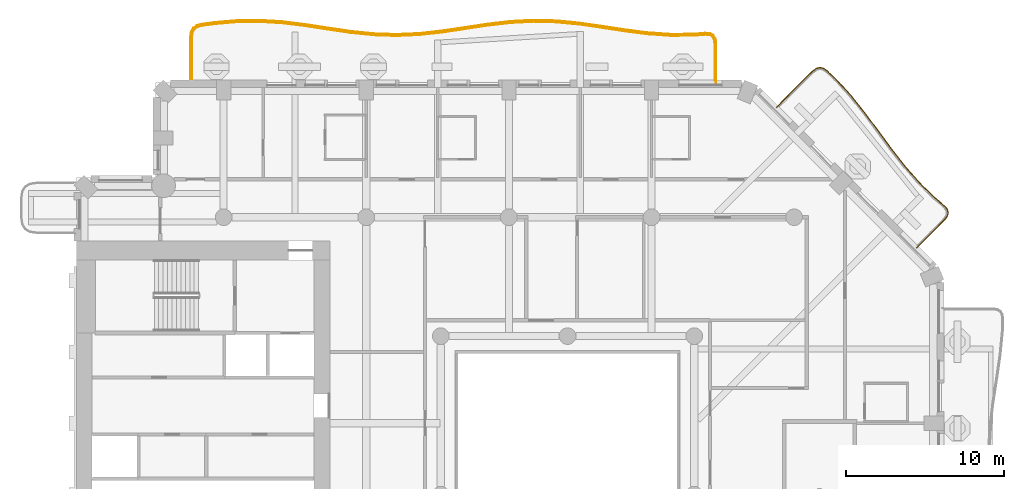
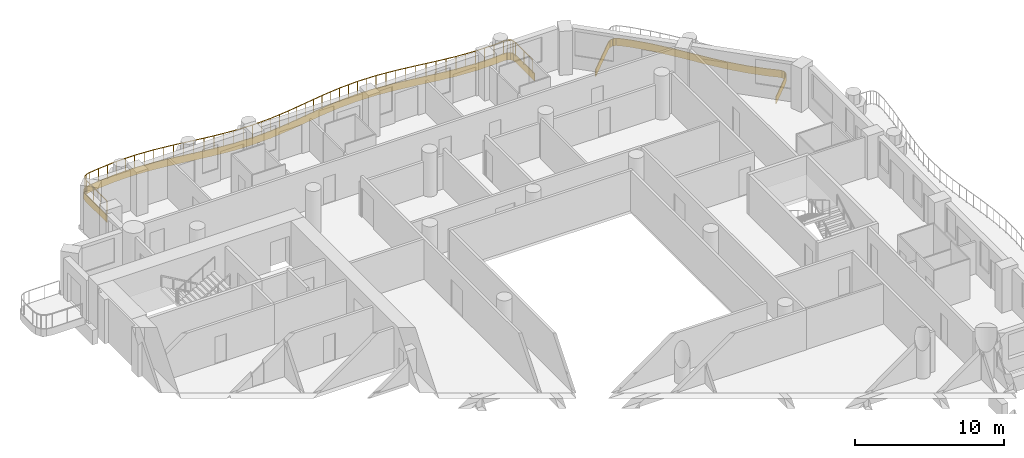
# One storey, part 17 of 19: 2 coverings, 1 railing.
"""IFC4 building model written with IfcOpenShell, lengths in metres."""

from ifc_helpers import new_model, si_unit, direction, frame, origin, origin_2d, place, context, subcontext, project, spatial, polyline, rectangle, outline, extrude, material, layer, layer_set, type_object, element, save


model = new_model("IFC4")

# Units and contexts
model_context = context("Model", 3, precision=1e-05, world=origin(), true_north=direction((0.0, 1.0)))
body_context = subcontext(model_context, "Body", "Model", "MODEL_VIEW")
ifc_project = project(units=[si_unit("LENGTHUNIT", "METRE"), si_unit("AREAUNIT", "SQUARE_METRE"), si_unit("VOLUMEUNIT", "CUBIC_METRE"), si_unit("PLANEANGLEUNIT", "RADIAN"), si_unit("MASSUNIT", "GRAM", prefix="KILO")], contexts=[model_context])

# Site, building, storey
site_placement = place(None, origin())
site = spatial("IfcSite", under=ifc_project, at=site_placement, CompositionType="ELEMENT")
building_placement = place(site_placement, origin())
building = spatial("IfcBuilding", under=site, at=building_placement, Name="Cypress Arch Tower", CompositionType="ELEMENT")
storey_placement = place(building_placement, frame((0.0, 0.0, 105.89990234375)))
storey = spatial("IfcBuildingStorey", under=building, at=storey_placement, Name="L21", CompositionType="ELEMENT", Elevation=105.89990234375)

# Coverings
ifc_material_1 = material(Name="White powder-coated aluminium fascia", Category="aluminium")
ifc_layer = layer(ifc_material_1, 0.050048828125)
ifc_layer_set = layer_set([ifc_layer], Name="Balcony fascia BF50")
covering_type = type_object("IfcCoveringType", Name="Balcony fascia BF50", PredefinedType="CLADDING", material=ifc_layer_set)
covering_1_placement = place(storey_placement, frame((0.0, 0.0, -0.599853515625)))
element("IfcCovering", 1, at=covering_1_placement, inside=storey, type_object=covering_type, Name="Balcony fascia L21-A07", PredefinedType="CLADDING", context=body_context, shape_type="SweptSolid", body=[
    extrude(outline(polyline([(16.4462890625, 26.735107421875), (16.678466796875, 26.909423828125), (16.922607421875, 26.972412109375), (17.16845703125, 26.916259765625), (17.405517578125, 26.748779296875), (17.963623046875, 26.221435546875), (18.90087890625, 25.194091796875), (19.774658203125, 24.10498046875), (20.609619140625, 22.978759765625), (21.43896484375, 21.849609375), (22.29736328125, 20.75146484375), (23.21240234375, 19.71142578125), (24.19873046875, 18.743408203125), (24.7822265625, 18.24658203125), (24.972412109375, 18.031005859375), (25.045654296875, 17.79833984375), (24.9912109375, 17.560546875), (24.819091796875, 17.330322265625), (23.045166015625, 15.556396484375), (23.009765625, 15.591796875), (24.78125, 17.36328125), (24.945068359375, 17.58203125), (24.993896484375, 17.79638671875), (24.927978515625, 18.005859375), (24.7470703125, 18.2109375), (24.1650390625, 18.70654296875), (23.176025390625, 19.677001953125), (22.259033203125, 20.719482421875), (21.399169921875, 21.8193359375), (20.5693359375, 22.94921875), (19.735107421875, 24.074462890625), (18.86279296875, 25.16162109375), (17.927978515625, 26.1865234375), (17.373779296875, 26.7099609375), (17.147705078125, 26.869873046875), (16.92333984375, 26.9208984375), (16.700439453125, 26.863525390625), (16.479248046875, 26.697265625), (14.191650390625, 24.40966796875), (14.15625, 24.445068359375), (16.4462890625, 26.735107421875)])), origin(), (0.0, 0.0, 1.0), 0.599853515625),
])
covering_2_placement = place(storey_placement, frame((0.0, 0.0, -0.599853515625)))
element("IfcCovering", 2, at=covering_2_placement, inside=storey, type_object=covering_type, Name="Balcony fascia L21-A08", PredefinedType="CLADDING", context=body_context, shape_type="SweptSolid", body=[
    extrude(outline(polyline([(-22.800048828125, 28.90087890625), (-22.7578125, 29.205078125), (-22.626708984375, 29.44384765625), (-22.408203125, 29.606201171875), (-22.112548828125, 29.689697265625), (-21.31640625, 29.799560546875), (-19.874267578125, 29.92431640625), (-18.431396484375, 29.944091796875), (-16.98876953125, 29.853759765625), (-15.547607421875, 29.676025390625), (-14.10791015625, 29.454833984375), (-12.669921875, 29.244873046875), (-11.233642578125, 29.09814453125), (-9.798095703125, 29.05029296875), (-8.362548828125, 29.113525390625), (-6.926025390625, 29.27197265625), (-5.48779296875, 29.48681640625), (-4.0478515625, 29.705078125), (-2.6064453125, 29.872802734375), (-1.163818359375, 29.9482421875), (0.279052734375, 29.91259765625), (1.72119140625, 29.77490234375), (3.16162109375, 29.569091796875), (4.6005859375, 29.3466796875), (6.03759765625, 29.161865234375), (7.473388671875, 29.060791015625), (8.90869140625, 29.06787109375), (9.701904296875, 29.130615234375), (9.99951171875, 29.111572265625), (10.22314453125, 28.99462890625), (10.357421875, 28.78076171875), (10.39990234375, 28.48583984375), (10.39990234375, 26.0009765625), (10.35009765625, 26.0009765625), (10.35009765625, 28.482177734375), (10.3095703125, 28.76318359375), (10.18798828125, 28.95654296875), (9.98583984375, 29.062255859375), (9.702392578125, 29.08056640625), (8.910888671875, 29.017822265625), (7.4716796875, 29.0107421875), (6.03271484375, 29.112060546875), (4.593505859375, 29.297119140625), (3.154296875, 29.519775390625), (1.71533203125, 29.72509765625), (0.276123046875, 29.862548828125), (-1.1630859375, 29.898193359375), (-2.602294921875, 29.822998046875), (-4.041259765625, 29.655517578125), (-5.48046875, 29.437255859375), (-6.919677734375, 29.222412109375), (-8.358642578125, 29.0634765625), (-9.7978515625, 29.000244140625), (-11.237060546875, 29.048095703125), (-12.676025390625, 29.1953125), (-14.115234375, 29.4052734375), (-15.554443359375, 29.62646484375), (-16.993408203125, 29.803955078125), (-18.4326171875, 29.89404296875), (-19.871826171875, 29.874267578125), (-21.310791015625, 29.749755859375), (-22.102294921875, 29.640625), (-22.3857421875, 29.560546875), (-22.588134765625, 29.41015625), (-22.70947265625, 29.18896484375), (-22.75, 28.8974609375), (-22.75, 26.0009765625), (-22.800048828125, 26.0009765625), (-22.800048828125, 28.90087890625)])), origin(), (0.0, 0.0, 1.0), 0.599853515625),
])

# Railing
ifc_material_2 = material(Name="Powder-coated steel posts and rods, 100 mm clear between rods", Category="steel")
railing_type = type_object("IfcRailingType", Name="Balcony guard GR1100", PredefinedType="GUARDRAIL", material=ifc_material_2)
railing_placement = place(storey_placement, frame((-22.699951171875, 26.14990234375, 0.0)))
element("IfcRailing", 3, at=railing_placement, inside=storey, type_object=railing_type, Name="Balcony guard L21-A08", PredefinedType="GUARDRAIL", context=body_context, shape_type="SweptSolid", body=[
    extrude(rectangle(XDim=0.050048828125, YDim=0.050048828125, at=origin_2d()), frame((0.0, 0.0, 1.0751953125), z_axis=(0.0, 1.0, 0.0), x_axis=(-1.0, 0.0, 0.0)), (0.0, 0.0, 1.0), 2.744140625),
    extrude(rectangle(XDim=0.050048828125, YDim=0.050048828125, at=origin_2d()), frame((0.0, 2.744140625, 1.0751953125), z_axis=(0.136930656517, 0.990580635438, 0.0), x_axis=(-0.990580635438, 0.136930656517, 0.0)), (0.0, 0.0, 1.0), 0.28173828125),
    extrude(rectangle(XDim=0.050048828125, YDim=0.050048828125, at=origin_2d()), frame((0.03857421875, 3.023193359375, 1.0751953125), z_axis=(0.481797598162, 0.876282531154, 0.0), x_axis=(-0.876282531154, 0.481797598162, 0.0)), (0.0, 0.0, 1.0), 0.232177734375),
    extrude(rectangle(XDim=0.050048828125, YDim=0.050048828125, at=origin_2d()), frame((0.150390625, 3.2265625, 1.0751953125), z_axis=(0.8021395351, 0.597136639497, 0.0), x_axis=(-0.597136639497, 0.8021395351, 0.0)), (0.0, 0.0, 1.0), 0.232177734375),
    extrude(rectangle(XDim=0.050048828125, YDim=0.050048828125, at=origin_2d()), frame((0.336669921875, 3.365234375, 1.0751953125), z_axis=(0.962530887514, 0.271172068219, 0.0), x_axis=(-0.271172068219, 0.962530887514, 0.0)), (0.0, 0.0, 1.0), 0.28173828125),
    extrude(rectangle(XDim=0.050048828125, YDim=0.050048828125, at=origin_2d()), frame((0.60791015625, 3.441650390625, 1.0751953125), z_axis=(0.990602470756, 0.136772603005, 0.0), x_axis=(-0.136772603005, 0.990602470756, 0.0)), (0.0, 0.0, 1.0), 0.79443359375),
    extrude(rectangle(XDim=0.050048828125, YDim=0.050048828125, at=origin_2d()), frame((1.394775390625, 3.55029296875, 1.0751953125), z_axis=(0.996276728106, 0.086212998063, 0.0), x_axis=(-0.086212998063, 0.996276728106, 0.0)), (0.0, 0.0, 1.0), 1.44140625),
    extrude(rectangle(XDim=0.050048828125, YDim=0.050048828125, at=origin_2d()), frame((2.830810546875, 3.674560546875, 1.0751953125), z_axis=(0.999907427339, 0.013606496715, 0.0), x_axis=(-0.013606496715, 0.999907427339, 0.0)), (0.0, 0.0, 1.0), 1.435546875),
    extrude(rectangle(XDim=0.050048828125, YDim=0.050048828125, at=origin_2d()), frame((4.26611328125, 3.694091796875, 1.0751953125), z_axis=(0.998047953368, -0.062452243979, 0.0), x_axis=(0.062452243979, 0.998047953368, 0.0)), (0.0, 0.0, 1.0), 1.438720703125),
    extrude(rectangle(XDim=0.050048828125, YDim=0.050048828125, at=origin_2d()), frame((5.701904296875, 3.604248046875, 1.0751953125), z_axis=(0.992476369165, -0.122436337131, 0.0), x_axis=(0.122436337131, 0.992476369165, 0.0)), (0.0, 0.0, 1.0), 1.44775390625),
    extrude(rectangle(XDim=0.050048828125, YDim=0.050048828125, at=origin_2d()), frame((7.138671875, 3.427001953125, 1.0751953125), z_axis=(0.988412381944, -0.151792500536, 0.0), x_axis=(0.151792500536, 0.988412381944, 0.0)), (0.0, 0.0, 1.0), 1.45556640625),
    extrude(rectangle(XDim=0.050048828125, YDim=0.050048828125, at=origin_2d()), frame((8.577392578125, 3.2060546875, 1.0751953125), z_axis=(0.989495028388, -0.144566900758, 0.0), x_axis=(0.144566900758, 0.989495028388, 0.0)), (0.0, 0.0, 1.0), 1.455810546875),
    extrude(rectangle(XDim=0.050048828125, YDim=0.050048828125, at=origin_2d()), frame((10.017822265625, 2.99560546875, 1.0751953125), z_axis=(0.994828239073, -0.101571525256, 0.0), x_axis=(0.101571525256, 0.994828239073, 0.0)), (0.0, 0.0, 1.0), 1.449462890625),
    extrude(rectangle(XDim=0.050048828125, YDim=0.050048828125, at=origin_2d()), frame((11.459716796875, 2.848388671875, 1.0751953125), z_axis=(0.999444719239, -0.033320461955, 0.0), x_axis=(0.033320461955, 0.999444719239, 0.0)), (0.0, 0.0, 1.0), 1.443359375),
    extrude(rectangle(XDim=0.050048828125, YDim=0.050048828125, at=origin_2d()), frame((12.90234375, 2.80029296875, 1.0751953125), z_axis=(0.999033700187, 0.043950721159, 0.0), x_axis=(-0.043950721159, 0.999033700187, 0.0)), (0.0, 0.0, 1.0), 1.4443359375),
    extrude(rectangle(XDim=0.050048828125, YDim=0.050048828125, at=origin_2d()), frame((14.34521484375, 2.86376953125, 1.0751953125), z_axis=(0.993959451155, 0.109747936012, 0.0), x_axis=(-0.109747936012, 0.993959451155, 0.0)), (0.0, 0.0, 1.0), 1.450439453125),
    extrude(rectangle(XDim=0.050048828125, YDim=0.050048828125, at=origin_2d()), frame((15.786865234375, 3.02294921875, 1.0751953125), z_axis=(0.989030844863, 0.147709132789, 0.0), x_axis=(-0.147709132789, 0.989030844863, 0.0)), (0.0, 0.0, 1.0), 1.4560546875),
    extrude(rectangle(XDim=0.050048828125, YDim=0.050048828125, at=origin_2d()), frame((17.22705078125, 3.238037109375, 1.0751953125), z_axis=(0.988704955707, 0.149874983101, 0.0), x_axis=(-0.149874983101, 0.988704955707, 0.0)), (0.0, 0.0, 1.0), 1.45458984375),
    extrude(rectangle(XDim=0.050048828125, YDim=0.050048828125, at=origin_2d()), frame((18.665283203125, 3.4560546875, 1.0751953125), z_axis=(0.993313233441, 0.115450510055, 0.0), x_axis=(-0.115450510055, 0.993313233441, 0.0)), (0.0, 0.0, 1.0), 1.446533203125),
    extrude(rectangle(XDim=0.050048828125, YDim=0.050048828125, at=origin_2d()), frame((20.10205078125, 3.623046875, 1.0751953125), z_axis=(0.998630934565, 0.05230923943, 0.0), x_axis=(-0.05230923943, 0.998630934565, 0.0)), (0.0, 0.0, 1.0), 1.4375),
    extrude(rectangle(XDim=0.050048828125, YDim=0.050048828125, at=origin_2d()), frame((21.53759765625, 3.6982421875, 1.0751953125), z_axis=(0.999696084159, -0.024652369422, 0.0), x_axis=(0.024652369422, 0.999696084159, 0.0)), (0.0, 0.0, 1.0), 1.43603515625),
    extrude(rectangle(XDim=0.050048828125, YDim=0.050048828125, at=origin_2d()), frame((22.97314453125, 3.662841796875, 1.0751953125), z_axis=(0.995466522514, -0.095112578316, 0.0), x_axis=(0.095112578316, 0.995466522514, 0.0)), (0.0, 0.0, 1.0), 1.442626953125),
    extrude(rectangle(XDim=0.050048828125, YDim=0.050048828125, at=origin_2d()), frame((24.4091796875, 3.525634765625, 1.0751953125), z_axis=(0.989956216646, -0.141374287349, 0.0), x_axis=(0.141374287349, 0.989956216646, 0.0)), (0.0, 0.0, 1.0), 1.452392578125),
    extrude(rectangle(XDim=0.050048828125, YDim=0.050048828125, at=origin_2d()), frame((25.846923828125, 3.3203125, 1.0751953125), z_axis=(0.988247354553, -0.152863227163, 0.0), x_axis=(0.152863227163, 0.988247354553, 0.0)), (0.0, 0.0, 1.0), 1.45654296875),
    extrude(rectangle(XDim=0.050048828125, YDim=0.050048828125, at=origin_2d()), frame((27.286376953125, 3.09765625, 1.0751953125), z_axis=(0.991856103893, -0.127363531552, 0.0), x_axis=(0.127363531552, 0.991856103893, 0.0)), (0.0, 0.0, 1.0), 1.452880859375),
    extrude(rectangle(XDim=0.050048828125, YDim=0.050048828125, at=origin_2d()), frame((28.7275390625, 2.91259765625, 1.0751953125), z_axis=(0.997519177568, -0.070395244042, 0.0), x_axis=(0.070395244042, 0.997519177568, 0.0)), (0.0, 0.0, 1.0), 1.4462890625),
    extrude(rectangle(XDim=0.050048828125, YDim=0.050048828125, at=origin_2d()), frame((30.170166015625, 2.810791015625, 1.0751953125), z_axis=(0.99998711664, 0.005076076734, 0.0), x_axis=(-0.005076076734, 0.99998711664, 0.0)), (0.0, 0.0, 1.0), 1.44287109375),
    extrude(rectangle(XDim=0.050048828125, YDim=0.050048828125, at=origin_2d()), frame((31.613037109375, 2.818115234375, 1.0751953125), z_axis=(0.996883497739, 0.078887844025, 0.0), x_axis=(-0.078887844025, 0.996883497739, 0.0)), (0.0, 0.0, 1.0), 0.792236328125),
    extrude(rectangle(XDim=0.050048828125, YDim=0.050048828125, at=origin_2d()), frame((32.40283203125, 2.880615234375, 1.0751953125), z_axis=(0.997930935599, -0.064295005833, 0.0), x_axis=(0.064295005833, 0.997930935599, 0.0)), (0.0, 0.0, 1.0), 0.26953125),
    extrude(rectangle(XDim=0.050048828125, YDim=0.050048828125, at=origin_2d()), frame((32.671875, 2.86328125, 1.0751953125), z_axis=(0.885901726411, -0.463872968755, 0.0), x_axis=(0.463872968755, 0.885901726411, 0.0)), (0.0, 0.0, 1.0), 0.2041015625),
    extrude(rectangle(XDim=0.050048828125, YDim=0.050048828125, at=origin_2d()), frame((32.852783203125, 2.7685546875, 1.0751953125), z_axis=(0.532147054497, -0.846651942885, 0.0), x_axis=(0.846651942885, 0.532147054497, 0.0)), (0.0, 0.0, 1.0), 0.2041015625),
    extrude(rectangle(XDim=0.050048828125, YDim=0.050048828125, at=origin_2d()), frame((32.96142578125, 2.595703125, 1.0751953125), z_axis=(0.142941069284, -0.989731201242, 0.0), x_axis=(0.989731201242, 0.142941069284, 0.0)), (0.0, 0.0, 1.0), 0.269775390625),
    extrude(rectangle(XDim=0.050048828125, YDim=0.050048828125, at=origin_2d()), frame((33.0, 2.32861328125, 1.0751953125), z_axis=(0.0, -1.0, 0.0), x_axis=(1.0, 0.0, 0.0)), (0.0, 0.0, 1.0), 2.32861328125),
    extrude(rectangle(XDim=0.0400390625, YDim=0.0400390625, at=origin_2d()), origin(), (0.0, 0.0, 1.0), 1.050048828125),
    extrude(rectangle(XDim=0.0400390625, YDim=0.0400390625, at=origin_2d()), frame((0.0, 0.914794921875, 0.0)), (0.0, 0.0, 1.0), 1.050048828125),
    extrude(rectangle(XDim=0.0400390625, YDim=0.0400390625, at=origin_2d()), frame((0.0, 1.829345703125, 0.0)), (0.0, 0.0, 1.0), 1.050048828125),
    extrude(rectangle(XDim=0.0400390625, YDim=0.0400390625, at=origin_2d()), frame((0.0, 2.744140625, 0.0)), (0.0, 0.0, 1.0), 1.050048828125),
    extrude(rectangle(XDim=0.0400390625, YDim=0.0400390625, at=origin_2d()), frame((0.03857421875, 3.023193359375, 0.0)), (0.0, 0.0, 1.0), 1.050048828125),
    extrude(rectangle(XDim=0.0400390625, YDim=0.0400390625, at=origin_2d()), frame((0.150390625, 3.2265625, 0.0)), (0.0, 0.0, 1.0), 1.050048828125),
    extrude(rectangle(XDim=0.0400390625, YDim=0.0400390625, at=origin_2d()), frame((0.336669921875, 3.365234375, 0.0)), (0.0, 0.0, 1.0), 1.050048828125),
    extrude(rectangle(XDim=0.0400390625, YDim=0.0400390625, at=origin_2d()), frame((0.60791015625, 3.441650390625, 0.0)), (0.0, 0.0, 1.0), 1.050048828125),
    extrude(rectangle(XDim=0.0400390625, YDim=0.0400390625, at=origin_2d()), frame((1.394775390625, 3.55029296875, 0.0)), (0.0, 0.0, 1.0), 1.050048828125),
    extrude(rectangle(XDim=0.0400390625, YDim=0.0400390625, at=origin_2d()), frame((2.11279296875, 3.6123046875, 0.0)), (0.0, 0.0, 1.0), 1.050048828125),
    extrude(rectangle(XDim=0.0400390625, YDim=0.0400390625, at=origin_2d()), frame((2.830810546875, 3.674560546875, 0.0)), (0.0, 0.0, 1.0), 1.050048828125),
    extrude(rectangle(XDim=0.0400390625, YDim=0.0400390625, at=origin_2d()), frame((3.54833984375, 3.684326171875, 0.0)), (0.0, 0.0, 1.0), 1.050048828125),
    extrude(rectangle(XDim=0.0400390625, YDim=0.0400390625, at=origin_2d()), frame((4.26611328125, 3.694091796875, 0.0)), (0.0, 0.0, 1.0), 1.050048828125),
    extrude(rectangle(XDim=0.0400390625, YDim=0.0400390625, at=origin_2d()), frame((4.98388671875, 3.649169921875, 0.0)), (0.0, 0.0, 1.0), 1.050048828125),
    extrude(rectangle(XDim=0.0400390625, YDim=0.0400390625, at=origin_2d()), frame((5.701904296875, 3.604248046875, 0.0)), (0.0, 0.0, 1.0), 1.050048828125),
    extrude(rectangle(XDim=0.0400390625, YDim=0.0400390625, at=origin_2d()), frame((6.42041015625, 3.515625, 0.0)), (0.0, 0.0, 1.0), 1.050048828125),
    extrude(rectangle(XDim=0.0400390625, YDim=0.0400390625, at=origin_2d()), frame((7.138671875, 3.427001953125, 0.0)), (0.0, 0.0, 1.0), 1.050048828125),
    extrude(rectangle(XDim=0.0400390625, YDim=0.0400390625, at=origin_2d()), frame((7.85791015625, 3.31640625, 0.0)), (0.0, 0.0, 1.0), 1.050048828125),
    extrude(rectangle(XDim=0.0400390625, YDim=0.0400390625, at=origin_2d()), frame((8.577392578125, 3.2060546875, 0.0)), (0.0, 0.0, 1.0), 1.050048828125),
    extrude(rectangle(XDim=0.0400390625, YDim=0.0400390625, at=origin_2d()), frame((9.297607421875, 3.100830078125, 0.0)), (0.0, 0.0, 1.0), 1.050048828125),
    extrude(rectangle(XDim=0.0400390625, YDim=0.0400390625, at=origin_2d()), frame((10.017822265625, 2.99560546875, 0.0)), (0.0, 0.0, 1.0), 1.050048828125),
    extrude(rectangle(XDim=0.0400390625, YDim=0.0400390625, at=origin_2d()), frame((10.73876953125, 2.921875, 0.0)), (0.0, 0.0, 1.0), 1.050048828125),
    extrude(rectangle(XDim=0.0400390625, YDim=0.0400390625, at=origin_2d()), frame((11.459716796875, 2.848388671875, 0.0)), (0.0, 0.0, 1.0), 1.050048828125),
    extrude(rectangle(XDim=0.0400390625, YDim=0.0400390625, at=origin_2d()), frame((12.18115234375, 2.82421875, 0.0)), (0.0, 0.0, 1.0), 1.050048828125),
    extrude(rectangle(XDim=0.0400390625, YDim=0.0400390625, at=origin_2d()), frame((12.90234375, 2.80029296875, 0.0)), (0.0, 0.0, 1.0), 1.050048828125),
    extrude(rectangle(XDim=0.0400390625, YDim=0.0400390625, at=origin_2d()), frame((13.623779296875, 2.83203125, 0.0)), (0.0, 0.0, 1.0), 1.050048828125),
    extrude(rectangle(XDim=0.0400390625, YDim=0.0400390625, at=origin_2d()), frame((14.34521484375, 2.86376953125, 0.0)), (0.0, 0.0, 1.0), 1.050048828125),
    extrude(rectangle(XDim=0.0400390625, YDim=0.0400390625, at=origin_2d()), frame((15.06591796875, 2.943359375, 0.0)), (0.0, 0.0, 1.0), 1.050048828125),
    extrude(rectangle(XDim=0.0400390625, YDim=0.0400390625, at=origin_2d()), frame((15.786865234375, 3.02294921875, 0.0)), (0.0, 0.0, 1.0), 1.050048828125),
    extrude(rectangle(XDim=0.0400390625, YDim=0.0400390625, at=origin_2d()), frame((16.5068359375, 3.13037109375, 0.0)), (0.0, 0.0, 1.0), 1.050048828125),
    extrude(rectangle(XDim=0.0400390625, YDim=0.0400390625, at=origin_2d()), frame((17.22705078125, 3.238037109375, 0.0)), (0.0, 0.0, 1.0), 1.050048828125),
    extrude(rectangle(XDim=0.0400390625, YDim=0.0400390625, at=origin_2d()), frame((17.9462890625, 3.34716796875, 0.0)), (0.0, 0.0, 1.0), 1.050048828125),
    extrude(rectangle(XDim=0.0400390625, YDim=0.0400390625, at=origin_2d()), frame((18.665283203125, 3.4560546875, 0.0)), (0.0, 0.0, 1.0), 1.050048828125),
    extrude(rectangle(XDim=0.0400390625, YDim=0.0400390625, at=origin_2d()), frame((19.3837890625, 3.53955078125, 0.0)), (0.0, 0.0, 1.0), 1.050048828125),
    extrude(rectangle(XDim=0.0400390625, YDim=0.0400390625, at=origin_2d()), frame((20.10205078125, 3.623046875, 0.0)), (0.0, 0.0, 1.0), 1.050048828125),
    extrude(rectangle(XDim=0.0400390625, YDim=0.0400390625, at=origin_2d()), frame((20.81982421875, 3.66064453125, 0.0)), (0.0, 0.0, 1.0), 1.050048828125),
    extrude(rectangle(XDim=0.0400390625, YDim=0.0400390625, at=origin_2d()), frame((21.53759765625, 3.6982421875, 0.0)), (0.0, 0.0, 1.0), 1.050048828125),
    extrude(rectangle(XDim=0.0400390625, YDim=0.0400390625, at=origin_2d()), frame((22.25537109375, 3.6806640625, 0.0)), (0.0, 0.0, 1.0), 1.050048828125),
    extrude(rectangle(XDim=0.0400390625, YDim=0.0400390625, at=origin_2d()), frame((22.97314453125, 3.662841796875, 0.0)), (0.0, 0.0, 1.0), 1.050048828125),
    extrude(rectangle(XDim=0.0400390625, YDim=0.0400390625, at=origin_2d()), frame((23.691162109375, 3.59423828125, 0.0)), (0.0, 0.0, 1.0), 1.050048828125),
    extrude(rectangle(XDim=0.0400390625, YDim=0.0400390625, at=origin_2d()), frame((24.4091796875, 3.525634765625, 0.0)), (0.0, 0.0, 1.0), 1.050048828125),
    extrude(rectangle(XDim=0.0400390625, YDim=0.0400390625, at=origin_2d()), frame((25.1279296875, 3.4228515625, 0.0)), (0.0, 0.0, 1.0), 1.050048828125),
    extrude(rectangle(XDim=0.0400390625, YDim=0.0400390625, at=origin_2d()), frame((25.846923828125, 3.3203125, 0.0)), (0.0, 0.0, 1.0), 1.050048828125),
    extrude(rectangle(XDim=0.0400390625, YDim=0.0400390625, at=origin_2d()), frame((26.566650390625, 3.208984375, 0.0)), (0.0, 0.0, 1.0), 1.050048828125),
    extrude(rectangle(XDim=0.0400390625, YDim=0.0400390625, at=origin_2d()), frame((27.286376953125, 3.09765625, 0.0)), (0.0, 0.0, 1.0), 1.050048828125),
    extrude(rectangle(XDim=0.0400390625, YDim=0.0400390625, at=origin_2d()), frame((28.0068359375, 3.005126953125, 0.0)), (0.0, 0.0, 1.0), 1.050048828125),
    extrude(rectangle(XDim=0.0400390625, YDim=0.0400390625, at=origin_2d()), frame((28.7275390625, 2.91259765625, 0.0)), (0.0, 0.0, 1.0), 1.050048828125),
    extrude(rectangle(XDim=0.0400390625, YDim=0.0400390625, at=origin_2d()), frame((29.44873046875, 2.86181640625, 0.0)), (0.0, 0.0, 1.0), 1.050048828125),
    extrude(rectangle(XDim=0.0400390625, YDim=0.0400390625, at=origin_2d()), frame((30.170166015625, 2.810791015625, 0.0)), (0.0, 0.0, 1.0), 1.050048828125),
    extrude(rectangle(XDim=0.0400390625, YDim=0.0400390625, at=origin_2d()), frame((30.8916015625, 2.814453125, 0.0)), (0.0, 0.0, 1.0), 1.050048828125),
    extrude(rectangle(XDim=0.0400390625, YDim=0.0400390625, at=origin_2d()), frame((31.613037109375, 2.818115234375, 0.0)), (0.0, 0.0, 1.0), 1.050048828125),
    extrude(rectangle(XDim=0.0400390625, YDim=0.0400390625, at=origin_2d()), frame((32.40283203125, 2.880615234375, 0.0)), (0.0, 0.0, 1.0), 1.050048828125),
    extrude(rectangle(XDim=0.0400390625, YDim=0.0400390625, at=origin_2d()), frame((32.671875, 2.86328125, 0.0)), (0.0, 0.0, 1.0), 1.050048828125),
    extrude(rectangle(XDim=0.0400390625, YDim=0.0400390625, at=origin_2d()), frame((32.852783203125, 2.7685546875, 0.0)), (0.0, 0.0, 1.0), 1.050048828125),
    extrude(rectangle(XDim=0.0400390625, YDim=0.0400390625, at=origin_2d()), frame((32.96142578125, 2.595703125, 0.0)), (0.0, 0.0, 1.0), 1.050048828125),
    extrude(rectangle(XDim=0.0400390625, YDim=0.0400390625, at=origin_2d()), frame((33.0, 2.32861328125, 0.0)), (0.0, 0.0, 1.0), 1.050048828125),
    extrude(rectangle(XDim=0.0400390625, YDim=0.0400390625, at=origin_2d()), frame((33.0, 1.164306640625, 0.0)), (0.0, 0.0, 1.0), 1.050048828125),
    extrude(rectangle(XDim=0.0400390625, YDim=0.0400390625, at=origin_2d()), frame((33.0, 0.0, 0.0)), (0.0, 0.0, 1.0), 1.050048828125),
])

save(model, "model.ifc")
